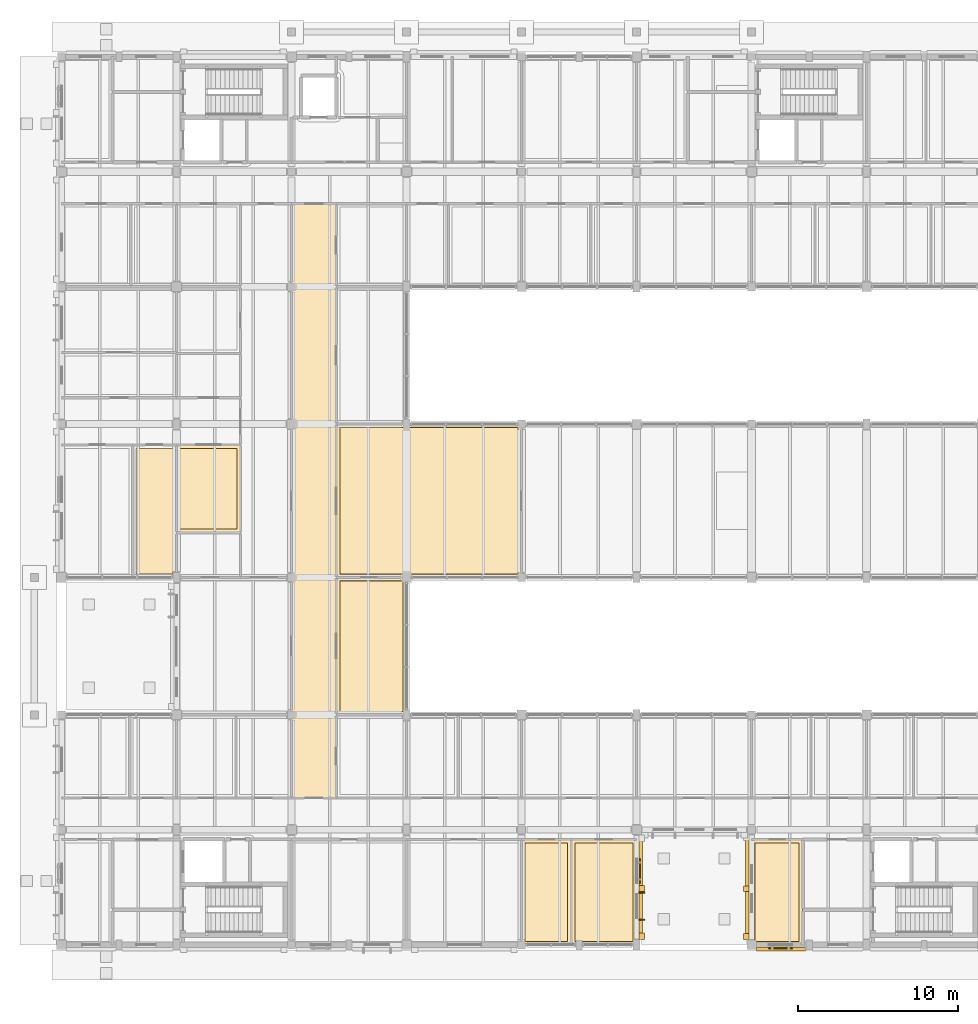
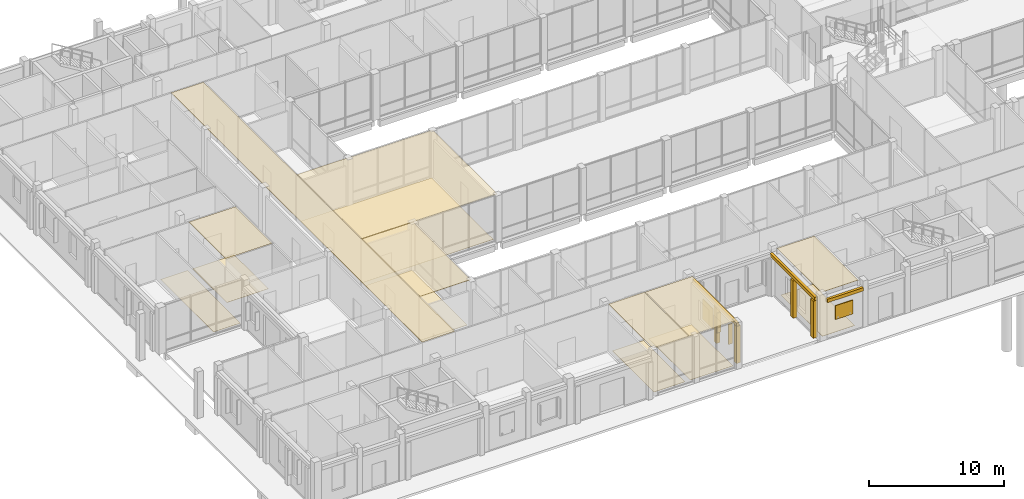
# One storey, part 92 of 104: 21 coverings, 4 shading devices.
"""IFC4 building model written with IfcOpenShell, lengths in metres."""

from ifc_helpers import new_model, si_unit, direction, frame, origin, origin_2d, place, context, subcontext, project, spatial, polyline, rectangle, outline, extrude, material, layer, layer_set, type_object, element, save


model = new_model("IFC4")

# Units and contexts
model_context = context("Model", 3, precision=1e-05, world=origin(), true_north=direction((0.0, 1.0)))
body_context = subcontext(model_context, "Body", "Model", "MODEL_VIEW")
ifc_project = project(units=[si_unit("LENGTHUNIT", "METRE"), si_unit("AREAUNIT", "SQUARE_METRE"), si_unit("VOLUMEUNIT", "CUBIC_METRE"), si_unit("PLANEANGLEUNIT", "RADIAN"), si_unit("MASSUNIT", "GRAM", prefix="KILO")], contexts=[model_context])

# Site, building, storey
site_placement = place(None, origin())
site = spatial("IfcSite", under=ifc_project, at=site_placement, CompositionType="ELEMENT")
building_placement = place(site_placement, origin())
building = spatial("IfcBuilding", under=site, at=building_placement, Name="Hawrajan Terrace Health Centre", CompositionType="ELEMENT")
storey_placement = place(building_placement, origin())
storey = spatial("IfcBuildingStorey", under=building, at=storey_placement, Name="L00", CompositionType="ELEMENT", Elevation=0.0)

# Coverings
ifc_material_1 = material(Name="Precast concrete C40/50", Category="concrete")
ifc_layer_1 = layer(ifc_material_1, 0.219970703125)
ifc_layer_set_1 = layer_set([ifc_layer_1], Name="Precast concrete C40/50")
covering_type_1 = type_object("IfcCoveringType", Name="ArtDecoCorniceBand", PredefinedType="CLADDING", material=ifc_layer_set_1)
covering_1_placement = place(storey_placement, frame((40.860107421875, 7.8125, 3.3701171875), z_axis=(0.0, 0.0, 1.0), x_axis=(0.0, 1.0, 0.0)))
element("IfcCovering", 1, at=covering_1_placement, inside=storey, type_object=covering_type_1, Name="Art Deco limestone cornice band CRN-L00-0020", PredefinedType="CLADDING", context=body_context, shape_type="SweptSolid", body=[
    extrude(rectangle(XDim=6.534912109375, YDim=0.219970703125, at=origin_2d()), origin(), (0.0, 0.0, 1.0), 0.300048828125),
])
covering_2_placement = place(storey_placement, frame((49.64990234375, 3.929931640625, 3.3701171875), z_axis=(0.0, 0.0, 1.0), x_axis=(1.0, 0.0, 0.0)))
element("IfcCovering", 2, at=covering_2_placement, inside=storey, type_object=covering_type_1, Name="Art Deco limestone cornice band CRN-L00-0023", PredefinedType="CLADDING", context=body_context, shape_type="SweptSolid", body=[
    extrude(rectangle(XDim=3.06005859375, YDim=0.219970703125, at=origin_2d()), origin(), (0.0, 0.0, 1.0), 0.300048828125),
])
covering_3_placement = place(storey_placement, frame((47.530029296875, 7.824951171875, 3.3701171875), z_axis=(0.0, 0.0, 1.0), x_axis=(0.0, 1.0, 0.0)))
element("IfcCovering", 3, at=covering_3_placement, inside=storey, type_object=covering_type_1, Name="Art Deco limestone cornice band CRN-L00-0025", PredefinedType="CLADDING", context=body_context, shape_type="SweptSolid", body=[
    extrude(rectangle(XDim=6.610107421875, YDim=0.219970703125, at=origin_2d()), origin(), (0.0, 0.0, 1.0), 0.300048828125),
])
ifc_layer_2 = layer(ifc_material_1, 0.340087890625)
ifc_layer_set_2 = layer_set([ifc_layer_2], Name="Precast concrete C40/50")
covering_type_2 = type_object("IfcCoveringType", Name="ArtDecoStonePilaster", PredefinedType="CLADDING", material=ifc_layer_set_2)
covering_4_placement = place(storey_placement, frame((40.919921875, 4.7451171875, 0.0), z_axis=(0.0, 0.0, 1.0), x_axis=(0.0, 1.0, 0.0)))
element("IfcCovering", 4, at=covering_4_placement, inside=storey, type_object=covering_type_2, Name="Art Deco fluted limestone pilaster FPIL-L00-0026", PredefinedType="CLADDING", context=body_context, shape_type="SweptSolid", body=[
    extrude(rectangle(XDim=0.39990234375, YDim=0.340087890625, at=origin_2d()), origin(), (0.0, 0.0, 1.0), 3.360107421875),
])
covering_5_placement = place(storey_placement, frame((40.919921875, 7.722412109375, 0.0), z_axis=(0.0, 0.0, 1.0), x_axis=(0.0, 1.0, 0.0)))
element("IfcCovering", 5, at=covering_5_placement, inside=storey, type_object=covering_type_2, Name="Art Deco mullion pilaster FPIL-L00-0028", PredefinedType="CLADDING", context=body_context, shape_type="SweptSolid", body=[
    extrude(rectangle(XDim=0.360107421875, YDim=0.340087890625, at=origin_2d()), origin(), (0.0, 0.0, 1.0), 3.360107421875),
])
covering_6_placement = place(storey_placement, frame((47.469970703125, 4.719970703125, 0.0), z_axis=(0.0, 0.0, 1.0), x_axis=(0.0, 1.0, 0.0)))
element("IfcCovering", 6, at=covering_6_placement, inside=storey, type_object=covering_type_2, Name="Art Deco fluted limestone pilaster FPIL-L00-0033", PredefinedType="CLADDING", context=body_context, shape_type="SweptSolid", body=[
    extrude(rectangle(XDim=0.39990234375, YDim=0.340087890625, at=origin_2d()), origin(), (0.0, 0.0, 1.0), 3.360107421875),
])
covering_7_placement = place(storey_placement, frame((47.469970703125, 7.7099609375, 0.0), z_axis=(0.0, 0.0, 1.0), x_axis=(0.0, 1.0, 0.0)))
element("IfcCovering", 7, at=covering_7_placement, inside=storey, type_object=covering_type_2, Name="Art Deco mullion pilaster FPIL-L00-0035", PredefinedType="CLADDING", context=body_context, shape_type="SweptSolid", body=[
    extrude(rectangle(XDim=0.360107421875, YDim=0.340087890625, at=origin_2d()), origin(), (0.0, 0.0, 1.0), 3.360107421875),
])
ifc_material_2 = material(Name="Acoustic linear cedar-slat suspended ceiling")
ifc_layer_3 = layer(ifc_material_2, 0.034912109375)
ifc_layer_set_3 = layer_set([ifc_layer_3], Name="Acoustic linear cedar-slat suspended ceiling")
covering_type_3 = type_object("IfcCoveringType", Name="CedarSlatHallCeiling_35", PredefinedType="CEILING", material=ifc_layer_set_3)
covering_8_placement = place(storey_placement, frame((0.0, 0.0, 4.14501953125)))
element("IfcCovering", 8, at=covering_8_placement, inside=storey, type_object=covering_type_3, Name="Suspended ceiling L00-051", PredefinedType="CEILING", context=body_context, shape_type="SweptSolid", body=[
    extrude(outline(polyline([(21.820068359375, 36.780029296875), (33.3798828125, 36.780029296875), (33.3798828125, 27.219970703125), (21.820068359375, 27.219970703125), (21.820068359375, 36.780029296875)])), origin(), (0.0, 0.0, 1.0), 0.034912109375),
])
covering_9_placement = place(storey_placement, frame((0.0, 0.0, 4.14501953125)))
element("IfcCovering", 9, at=covering_9_placement, inside=storey, type_object=covering_type_3, Name="Suspended ceiling L00-053", PredefinedType="CEILING", context=body_context, shape_type="SweptSolid", body=[
    extrude(outline(polyline([(21.820068359375, 27.179931640625), (26.179931640625, 27.179931640625), (26.179931640625, 18.6201171875), (21.820068359375, 18.6201171875), (21.820068359375, 27.179931640625)])), origin(), (0.0, 0.0, 1.0), 0.034912109375),
])
ifc_material_3 = material(Name="Hygienic mineral-fibre acoustic tile ceiling")
ifc_layer_4 = layer(ifc_material_3, 0.02490234375)
ifc_layer_set_4 = layer_set([ifc_layer_4], Name="Hygienic mineral-fibre acoustic tile ceiling")
covering_type_4 = type_object("IfcCoveringType", Name="ClinicalAcousticCeiling_25", PredefinedType="CEILING", material=ifc_layer_set_4)
covering_10_placement = place(storey_placement, frame((0.0, 0.0, 4.155029296875)))
element("IfcCovering", 10, at=covering_10_placement, inside=storey, type_object=covering_type_4, Name="Suspended ceiling L00-039", PredefinedType="CEILING", context=body_context, shape_type="SweptSolid", body=[
    extrude(outline(polyline([(19.02001953125, 50.580078125), (21.780029296875, 50.580078125), (21.780029296875, 13.419921875), (19.02001953125, 13.419921875), (19.02001953125, 50.580078125)])), origin(), (0.0, 0.0, 1.0), 0.02490234375),
])
covering_11_placement = place(storey_placement, frame((0.0, 0.0, 4.155029296875)))
element("IfcCovering", 11, at=covering_11_placement, inside=storey, type_object=covering_type_4, Name="Suspended ceiling L00-069", PredefinedType="CEILING", context=body_context, shape_type="SweptSolid", body=[
    extrude(outline(polyline([(11.820068359375, 35.47998046875), (15.780029296875, 35.47998046875), (15.780029296875, 30.025390625), (11.820068359375, 30.025390625), (11.820068359375, 35.47998046875)])), origin(), (0.0, 0.0, 1.0), 0.02490234375),
])
covering_12_placement = place(storey_placement, frame((0.0, 0.0, 4.155029296875)))
element("IfcCovering", 12, at=covering_12_placement, inside=storey, type_object=covering_type_4, Name="Suspended ceiling L00-091", PredefinedType="CEILING", context=body_context, shape_type="SweptSolid", body=[
    extrude(outline(polyline([(47.820068359375, 10.780029296875), (50.97998046875, 10.780029296875), (50.97998046875, 4.219970703125), (47.820068359375, 4.219970703125), (47.820068359375, 10.780029296875)])), origin(), (0.0, 0.0, 1.0), 0.02490234375),
])
covering_13_placement = place(storey_placement, frame((0.0, 0.0, 4.155029296875)))
element("IfcCovering", 13, at=covering_13_placement, inside=storey, type_object=covering_type_4, Name="Suspended ceiling L00-122", PredefinedType="CEILING", context=body_context, shape_type="SweptSolid", body=[
    extrude(outline(polyline([(33.419921875, 10.780029296875), (36.490478515625, 10.780029296875), (36.490478515625, 4.219970703125), (33.419921875, 4.219970703125), (33.419921875, 10.780029296875)])), origin(), (0.0, 0.0, 1.0), 0.02490234375),
])
covering_14_placement = place(storey_placement, frame((0.0, 0.0, 4.155029296875)))
element("IfcCovering", 14, at=covering_14_placement, inside=storey, type_object=covering_type_4, Name="Suspended ceiling L00-123", PredefinedType="CEILING", context=body_context, shape_type="SweptSolid", body=[
    extrude(outline(polyline([(36.530517578125, 10.780029296875), (40.580078125, 10.780029296875), (40.580078125, 4.219970703125), (36.530517578125, 4.219970703125), (36.530517578125, 10.780029296875)])), origin(), (0.0, 0.0, 1.0), 0.02490234375),
])
ifc_material_4 = material(Name="Seamless medical-grade cushioned vinyl flooring")
ifc_layer_5 = layer(ifc_material_4, 0.011962890625)
ifc_layer_set_5 = layer_set([ifc_layer_5], Name="Seamless medical-grade cushioned vinyl flooring")
covering_type_5 = type_object("IfcCoveringType", Name="ClinicalVinylFlooring_12", PredefinedType="FLOORING", material=ifc_layer_set_5)
covering_15_placement = place(storey_placement, origin())
element("IfcCovering", 15, at=covering_15_placement, inside=storey, type_object=covering_type_5, Name="Floor finish L00-062", PredefinedType="FLOORING", context=body_context, shape_type="SweptSolid", body=[
    extrude(outline(polyline([(9.27685546875, 35.280029296875), (11.580078125, 35.280029296875), (11.580078125, 27.419921875), (9.27685546875, 27.419921875), (9.27685546875, 35.280029296875)])), origin(), (0.0, 0.0, 1.0), 0.011962890625),
])
covering_16_placement = place(storey_placement, origin())
element("IfcCovering", 16, at=covering_16_placement, inside=storey, type_object=covering_type_5, Name="Floor finish L00-069", PredefinedType="FLOORING", context=body_context, shape_type="SweptSolid", body=[
    extrude(outline(polyline([(12.02001953125, 35.280029296875), (15.580078125, 35.280029296875), (15.580078125, 30.225341796875), (12.02001953125, 30.225341796875), (12.02001953125, 35.280029296875)])), origin(), (0.0, 0.0, 1.0), 0.011962890625),
])
covering_17_placement = place(storey_placement, origin())
element("IfcCovering", 17, at=covering_17_placement, inside=storey, type_object=covering_type_5, Name="Floor finish L00-091", PredefinedType="FLOORING", context=body_context, shape_type="SweptSolid", body=[
    extrude(outline(polyline([(48.02001953125, 10.580078125), (50.780029296875, 10.580078125), (50.780029296875, 4.419921875), (48.02001953125, 4.419921875), (48.02001953125, 10.580078125)])), origin(), (0.0, 0.0, 1.0), 0.011962890625),
])
covering_18_placement = place(storey_placement, origin())
element("IfcCovering", 18, at=covering_18_placement, inside=storey, type_object=covering_type_5, Name="Floor finish L00-122", PredefinedType="FLOORING", context=body_context, shape_type="SweptSolid", body=[
    extrude(outline(polyline([(33.6201171875, 10.580078125), (36.290283203125, 10.580078125), (36.290283203125, 4.419921875), (33.6201171875, 4.419921875), (33.6201171875, 10.580078125)])), origin(), (0.0, 0.0, 1.0), 0.011962890625),
])
covering_19_placement = place(storey_placement, origin())
element("IfcCovering", 19, at=covering_19_placement, inside=storey, type_object=covering_type_5, Name="Floor finish L00-123", PredefinedType="FLOORING", context=body_context, shape_type="SweptSolid", body=[
    extrude(outline(polyline([(36.73046875, 10.580078125), (40.3798828125, 10.580078125), (40.3798828125, 4.419921875), (36.73046875, 4.419921875), (36.73046875, 10.580078125)])), origin(), (0.0, 0.0, 1.0), 0.011962890625),
])

# Shading devices
ifc_material_5 = material(Name="Anodized bronze mashrabiya vertical solar fin")
ifc_layer_6 = layer(ifc_material_5, 0.080078125)
ifc_layer_set_6 = layer_set([ifc_layer_6], Name="Anodized bronze mashrabiya vertical solar fin")
shading_device_type_1 = type_object("IfcShadingDeviceType", Name="MashrabiyaVerticalFin", PredefinedType="USERDEFINED", material=ifc_layer_set_6)
for number, where, z_axis, x_axis, name in (
    (20, (40.929931640625, 5.7724609375, 1.0), (0.0, 0.0, 1.0), (0.0, 1.0, 0.0), "Bronze mashrabiya solar fin FIN-L00-0019"),
    (21, (40.929931640625, 7.472412109375, 1.0), (0.0, 0.0, 1.0), (0.0, 1.0, 0.0), "Bronze mashrabiya solar fin FIN-L00-0020"),
):
    element("IfcShadingDevice", number, at=place(storey_placement, frame(where, z_axis=z_axis, x_axis=x_axis)), inside=storey, type_object=shading_device_type_1, Name=name, ObjectType="SOLAR_FIN", PredefinedType="USERDEFINED", context=body_context, shape_type="SweptSolid", body=[
        extrude(rectangle(XDim=0.080078125, YDim=0.360107421875, at=origin_2d()), origin(), (0.0, 0.0, 1.0), 1.800048828125),
    ])
ifc_material_6 = material(Name="Anodized bronze and cedar roshan lattice")
ifc_layer_7 = layer(ifc_material_6, 0.080078125)
ifc_layer_set_7 = layer_set([ifc_layer_7], Name="Anodized bronze and cedar roshan lattice")
shading_device_type_2 = type_object("IfcShadingDeviceType", Name="RoshanScreen_BronzeCedar", PredefinedType="JALOUSIE", material=ifc_layer_set_7)
shading_device_1_placement = place(storey_placement, frame((40.794921875, 8.822509765625, 1.0), z_axis=(0.0, 0.0, 1.0), x_axis=(0.0, 1.0, 0.0)))
element("IfcShadingDevice", 22, at=shading_device_1_placement, inside=storey, type_object=shading_device_type_2, Name="Hijazi roshan solar screen RSH-L00-021", PredefinedType="JALOUSIE", context=body_context, shape_type="SweptSolid", body=[
    extrude(rectangle(XDim=1.52001953125, YDim=0.080078125, at=origin_2d()), origin(), (0.0, 0.0, 1.0), 1.800048828125),
])
shading_device_2_placement = place(storey_placement, frame((49.610107421875, 3.9951171875, 1.5), z_axis=(0.0, 0.0, 1.0), x_axis=(1.0, 0.0, 0.0)))
element("IfcShadingDevice", 23, at=shading_device_2_placement, inside=storey, type_object=shading_device_type_2, Name="Hijazi roshan solar screen RSH-L00-026", PredefinedType="JALOUSIE", context=body_context, shape_type="SweptSolid", body=[
    extrude(rectangle(XDim=1.5, YDim=0.080078125, at=origin_2d()), origin(), (0.0, 0.0, 1.0), 1.25),
])

# Coverings
ifc_material_7 = material(Name="Polished coral-aggregate terrazzo flooring")
ifc_layer_8 = layer(ifc_material_7, 0.02001953125)
ifc_layer_set_8 = layer_set([ifc_layer_8], Name="Polished coral-aggregate terrazzo flooring")
covering_type_6 = type_object("IfcCoveringType", Name="TerrazzoHallFlooring_20", PredefinedType="FLOORING", material=ifc_layer_set_8)
covering_20_placement = place(storey_placement, origin())
element("IfcCovering", 24, at=covering_20_placement, inside=storey, type_object=covering_type_6, Name="Floor finish L00-051", PredefinedType="FLOORING", context=body_context, shape_type="SweptSolid", body=[
    extrude(outline(polyline([(22.02001953125, 36.580078125), (33.179931640625, 36.580078125), (33.179931640625, 27.419921875), (22.02001953125, 27.419921875), (22.02001953125, 36.580078125)])), origin(), (0.0, 0.0, 1.0), 0.02001953125),
])
covering_21_placement = place(storey_placement, origin())
element("IfcCovering", 25, at=covering_21_placement, inside=storey, type_object=covering_type_6, Name="Floor finish L00-053", PredefinedType="FLOORING", context=body_context, shape_type="SweptSolid", body=[
    extrude(outline(polyline([(22.02001953125, 26.97998046875), (25.97998046875, 26.97998046875), (25.97998046875, 18.820068359375), (22.02001953125, 18.820068359375), (22.02001953125, 26.97998046875)])), origin(), (0.0, 0.0, 1.0), 0.02001953125),
])

save(model, "model.ifc")
